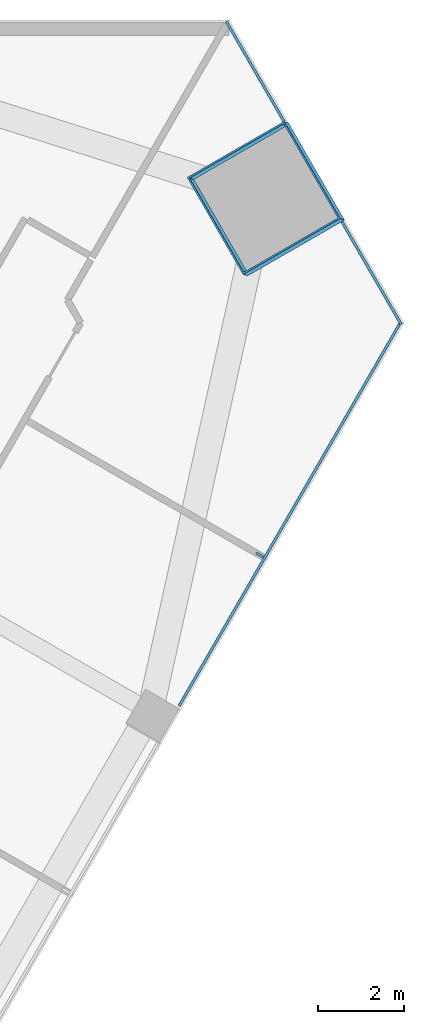
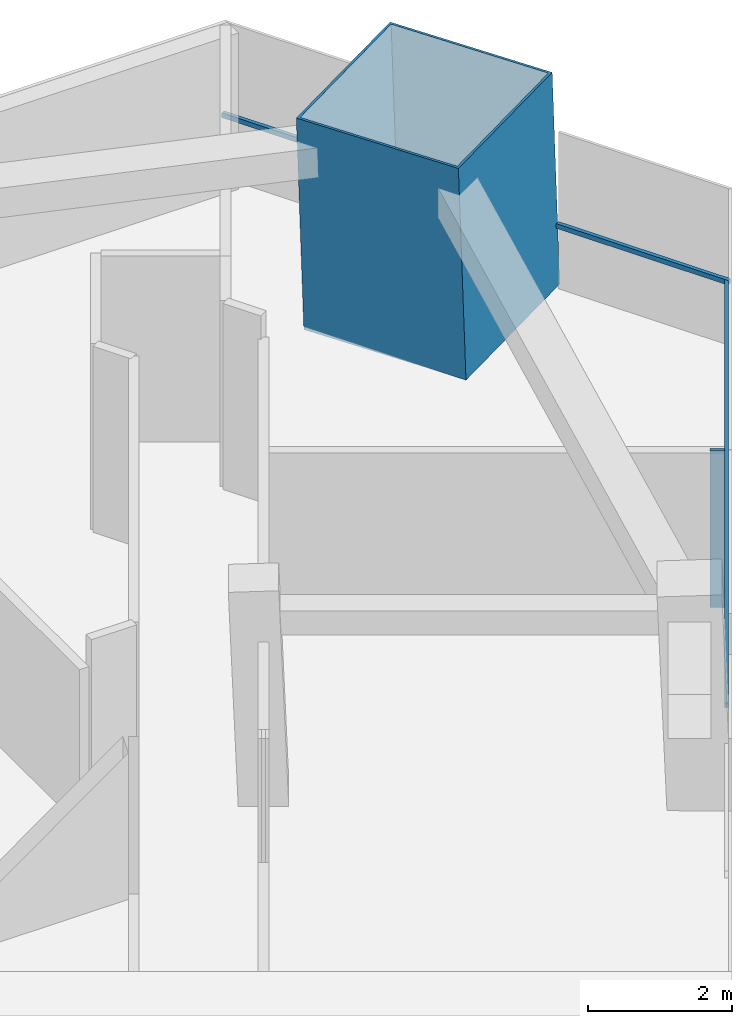
# One storey, part 7 of 14: 5 members, 2 elements without a shape of their own.
"""IFC4 building model written with IfcOpenShell, lengths in metres."""

from ifc_helpers import new_model, si_unit, direction, frame, origin, origin_2d, place, context, subcontext, project, spatial, rectangle, hollow_rectangle, extrude, material, layer, layer_set, material_profile, profile_set, type_object, element, aggregate, save


model = new_model("IFC4")

# Units and contexts
model_context = context("Model", 3, precision=1e-05, world=origin(), true_north=direction((0.0, 1.0)))
body_context = subcontext(model_context, "Body", "Model", "MODEL_VIEW")
ifc_project = project(units=[si_unit("LENGTHUNIT", "METRE"), si_unit("AREAUNIT", "SQUARE_METRE"), si_unit("VOLUMEUNIT", "CUBIC_METRE"), si_unit("PLANEANGLEUNIT", "RADIAN"), si_unit("MASSUNIT", "GRAM", prefix="KILO")], contexts=[model_context])

# Site, building, storey
site_placement = place(None, origin())
site = spatial("IfcSite", under=ifc_project, at=site_placement, CompositionType="ELEMENT")
building_placement = place(site_placement, origin())
building = spatial("IfcBuilding", under=site, at=building_placement, Name="Altiplano Prism Tower", CompositionType="ELEMENT")
storey_placement = place(building_placement, frame((0.0, 0.0, 115.199951171875)))
storey = spatial("IfcBuildingStorey", under=building, at=storey_placement, Name="L29", CompositionType="ELEMENT", Elevation=115.199951171875)

# Curtain wall, members
ifc_material_1 = material(Name="Aluminium and glass", Category="aluminium")
ifc_layer = layer(ifc_material_1, 0.303955078125)
ifc_layer_set = layer_set([ifc_layer], Name="Aluminium and glass")
curtain_wall_type = type_object("IfcCurtainWallType", Name="CW2 lounge-band unitised glazing", PredefinedType="NOTDEFINED", material=ifc_layer_set)
curtain_wall_1_placement = place(storey_placement, origin())
curtain_wall_1 = element("IfcCurtainWall", 1, at=curtain_wall_1_placement, inside=storey, type_object=curtain_wall_type, Name="CW2 curtain wall south-east face L29", PredefinedType="NOTDEFINED")
ifc_material_2 = material(Name="Aluminium", Category="aluminium")
ifc_material_profile_1 = material_profile(ifc_material_2, rectangle(XDim=0.199951171875, YDim=0.06005859375, at=origin_2d()), Name="CW2 mullion 60 x 200")
ifc_profile_set_1 = profile_set([ifc_material_profile_1], Name="Aluminium")
member_type_1 = type_object("IfcMemberType", Name="CW2 mullion 60 x 200", PredefinedType="MULLION", material=ifc_profile_set_1)
member_1_placement = place(storey_placement, frame((110.050048828125, 92.584716796875, 0.0), z_axis=(0.0, 0.0, 1.0), x_axis=(-0.866025407711, 0.499999993198, 0.0)))
member_1 = element("IfcMember", 2, at=member_1_placement, type_object=member_type_1, Name="CW2 mullion", PredefinedType="MULLION", context=body_context, shape_type="SweptSolid", body=[
    extrude(rectangle(XDim=0.199951171875, YDim=0.06005859375, at=origin_2d()), origin(), (0.0, 0.0, 1.0), 2.650146484375),
])
ifc_material_profile_2 = material_profile(ifc_material_2, rectangle(XDim=0.06005859375, YDim=0.080078125, at=origin_2d()), Name="CW2 transom 80 x 60")
ifc_profile_set_2 = profile_set([ifc_material_profile_2], Name="Aluminium")
member_type_2 = type_object("IfcMemberType", Name="CW2 transom 80 x 60", PredefinedType="USERDEFINED", material=ifc_profile_set_2)
member_2_placement = place(storey_placement, frame((108.177490234375, 89.081298828125, 1.10009765625), z_axis=(0.499995085744, 0.866028241013, 0.0), x_axis=(-0.866028241013, 0.499995085744, 0.0)))
member_2 = element("IfcMember", 3, at=member_2_placement, type_object=member_type_2, Name="CW2 transom", ObjectType="TRANSOM", PredefinedType="USERDEFINED", context=body_context, shape_type="SweptSolid", body=[
    extrude(rectangle(XDim=0.06005859375, YDim=0.080078125, at=origin_2d()), origin(), (0.0, 0.0, 1.0), 10.3095703125),
])
aggregate(curtain_wall_1, [member_1, member_2])

curtain_wall_2_placement = place(storey_placement, origin())
curtain_wall_2 = element("IfcCurtainWall", 4, at=curtain_wall_2_placement, inside=storey, type_object=curtain_wall_type, Name="CW2 curtain wall north-east chamfer L29", PredefinedType="NOTDEFINED")
member_3_placement = place(storey_placement, frame((113.332275390625, 97.935791015625, 1.10009765625), z_axis=(-0.499929406358, 0.866066157207, 0.0), x_axis=(-0.866066157207, -0.499929406358, 0.0)))
member_3 = element("IfcMember", 5, at=member_3_placement, type_object=member_type_2, Name="CW2 transom", ObjectType="TRANSOM", PredefinedType="USERDEFINED", context=body_context, shape_type="SweptSolid", body=[
    extrude(rectangle(XDim=0.06005859375, YDim=0.080078125, at=origin_2d()), origin(), (0.0, 0.0, 1.0), 2.75732421875),
])
member_4_placement = place(storey_placement, frame((110.61376953125, 102.64453125, 1.10009765625), z_axis=(-0.500032956655, 0.866006375415, 0.0), x_axis=(-0.866006375415, -0.500032956655, 0.0)))
member_4 = element("IfcMember", 6, at=member_4_placement, type_object=member_type_2, Name="CW2 transom", ObjectType="TRANSOM", PredefinedType="USERDEFINED", context=body_context, shape_type="SweptSolid", body=[
    extrude(rectangle(XDim=0.06005859375, YDim=0.080078125, at=origin_2d()), origin(), (0.0, 0.0, 1.0), 2.677001953125),
])
aggregate(curtain_wall_2, [member_3, member_4])

# Member
ifc_material_3 = material(Name="Steel S460", Category="steel")
ifc_material_profile_3 = material_profile(ifc_material_3, hollow_rectangle(XDim=2.60009765625, YDim=2.60009765625, WallThickness=0.0400390625, at=origin_2d()), Name="Mega column tube 2600")
ifc_profile_set_3 = profile_set([ifc_material_profile_3], Name="Steel S460")
member_type_3 = type_object("IfcMemberType", Name="Mega column tube 2600", PredefinedType="POST", material=ifc_profile_set_3)
member_5_placement = place(storey_placement, frame((110.2421875, 100.83642578125, 0.0), z_axis=(-0.028401796786, 0.009286506348, 0.999553449666), x_axis=(0.498888878312, -0.866380944014, 0.022224917221)))
element("IfcMember", 7, at=member_5_placement, inside=storey, type_object=member_type_3, Name="Mega column tube M2 L29", PredefinedType="POST", context=body_context, shape_type="SweptSolid", body=[
    extrude(hollow_rectangle(XDim=2.60009765625, YDim=2.60009765625, WallThickness=0.0400390625, at=origin_2d()), origin(), (0.0, 0.0, 1.0), 3.601806640625),
])

save(model, "model.ifc")
